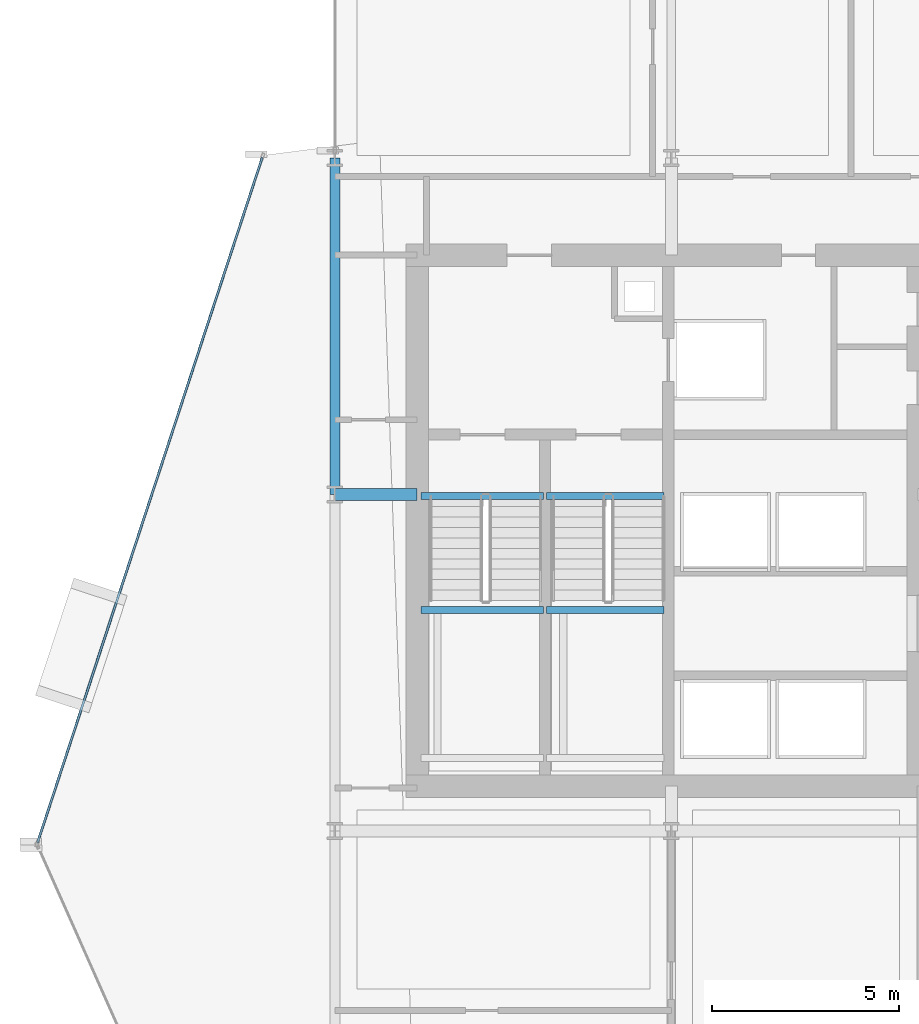
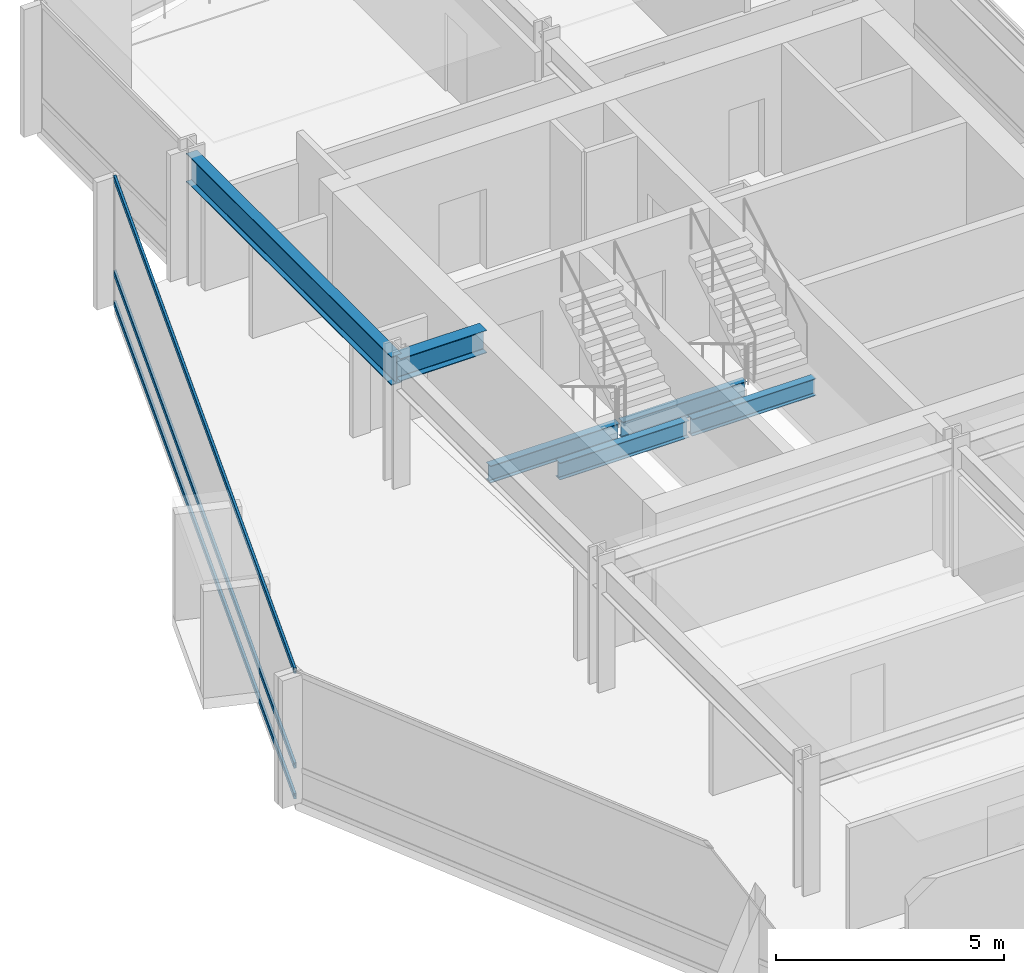
# One storey, part 15 of 29: 6 beams, 3 members, 1 element without a shape of its own.
"""IFC4 building model written with IfcOpenShell, lengths in metres."""

from ifc_helpers import new_model, si_unit, direction, frame, origin, origin_2d, place, context, subcontext, project, spatial, hollow_rectangle, i_section, extrude, material, layer, layer_set, material_profile, profile_set, type_object, element, aggregate, save


model = new_model("IFC4")

# Units and contexts
model_context = context("Model", 3, precision=1e-05, world=origin(), true_north=direction((0.0, 1.0)))
body_context = subcontext(model_context, "Body", "Model", "MODEL_VIEW")
ifc_project = project(units=[si_unit("LENGTHUNIT", "METRE"), si_unit("AREAUNIT", "SQUARE_METRE"), si_unit("VOLUMEUNIT", "CUBIC_METRE"), si_unit("PLANEANGLEUNIT", "RADIAN"), si_unit("MASSUNIT", "GRAM", prefix="KILO")], contexts=[model_context])

# Site, building, storey
site_placement = place(None, origin())
site = spatial("IfcSite", under=ifc_project, at=site_placement, CompositionType="ELEMENT")
building_placement = place(site_placement, origin())
building = spatial("IfcBuilding", under=site, at=building_placement, Name="Solvaryn Broadcast Tower", CompositionType="ELEMENT")
storey_placement = place(building_placement, frame((0.0, 0.0, 113.699951171875)))
storey = spatial("IfcBuildingStorey", under=building, at=storey_placement, Name="L27", CompositionType="ELEMENT", Elevation=113.699951171875)

# Beams
ifc_material_1 = material(Name="Steel ASTM A992 Grade 50", Category="steel")
ifc_material_profile_1 = material_profile(ifc_material_1, i_section(OverallWidth=0.323974609375, OverallDepth=0.611083984375, WebThickness=0.0126953125, FlangeThickness=0.01904296875, FilletRadius=0.014892578125, at=origin_2d()))
ifc_profile_set_1 = profile_set([ifc_material_profile_1], Name="Steel ASTM A992 Grade 50")
beam_type_1 = type_object("IfcBeamType", Name="BM-B1-W24X104", PredefinedType="BEAM", material=ifc_profile_set_1)
beam_1_placement = place(storey_placement, frame((9.0, 36.0, 3.114501953125), z_axis=(1.0, 0.0, 0.0), x_axis=(0.0, 1.0, 0.0)))
element("IfcBeam", 1, at=beam_1_placement, inside=storey, type_object=beam_type_1, Name="L27 Core Tie Beam CTW1", PredefinedType="BEAM", context=body_context, shape_type="SweptSolid", body=[
    extrude(i_section(OverallWidth=0.323974609375, OverallDepth=0.611083984375, WebThickness=0.0126953125, FlangeThickness=0.01904296875, FilletRadius=0.014892578125, at=origin_2d()), origin(), (0.0, 0.0, 1.0), 2.199951171875),
])
ifc_material_2 = material(Name="Steel ASTM A992 Grade 50", Category="steel")
ifc_material_profile_2 = material_profile(ifc_material_2, i_section(OverallWidth=0.18994140625, OverallDepth=0.45703125, WebThickness=0.009033203125, FlangeThickness=0.014404296875, FilletRadius=0.011962890625, at=origin_2d()))
ifc_profile_set_2 = profile_set([ifc_material_profile_2], Name="Steel ASTM A992 Grade 50")
beam_type_2 = type_object("IfcBeamType", Name="BM-B4-W18X50", PredefinedType="BEAM", material=ifc_profile_set_2)
for number, where, z_axis, x_axis, name in (
    (2, (11.300048828125, 35.9599609375, -0.508544921875), (1.0, 0.0, 0.0), (0.0, 1.0, 0.0), "L27 ST1 Stair Well Trimmer Beam"),
    (3, (11.300048828125, 32.909912109375, 1.421630859375), (1.0, 0.0, 0.0), (0.0, 1.0, 0.0), "L27 ST1 Landing Support Beam 1B"),
):
    element("IfcBeam", number, at=place(storey_placement, frame(where, z_axis=z_axis, x_axis=x_axis)), inside=storey, type_object=beam_type_2, Name=name, PredefinedType="BEAM", context=body_context, shape_type="SweptSolid", body=[
        extrude(i_section(OverallWidth=0.18994140625, OverallDepth=0.45703125, WebThickness=0.009033203125, FlangeThickness=0.014404296875, FilletRadius=0.011962890625, at=origin_2d()), origin(), (0.0, 0.0, 1.0), 3.280029296875),
    ])
for number, where, z_axis, x_axis, name in (
    (4, (14.659912109375, 35.9599609375, -0.508544921875), (1.0, 0.0, 0.0), (0.0, 1.0, 0.0), "L27 ST2 Stair Well Trimmer Beam"),
    (5, (14.659912109375, 32.909912109375, 1.421630859375), (1.0, 0.0, 0.0), (0.0, 1.0, 0.0), "L27 ST2 Landing Support Beam 1B"),
):
    element("IfcBeam", number, at=place(storey_placement, frame(where, z_axis=z_axis, x_axis=x_axis)), inside=storey, type_object=beam_type_2, Name=name, PredefinedType="BEAM", context=body_context, shape_type="SweptSolid", body=[
        extrude(i_section(OverallWidth=0.18994140625, OverallDepth=0.45703125, WebThickness=0.009033203125, FlangeThickness=0.014404296875, FilletRadius=0.011962890625, at=origin_2d()), origin(), (0.0, 0.0, 1.0), 3.14013671875),
    ])
ifc_material_3 = material(Name="Steel ASTM A992 Grade 50", Category="steel")
ifc_material_profile_3 = material_profile(ifc_material_3, i_section(OverallWidth=0.26708984375, OverallDepth=0.76611328125, WebThickness=0.014892578125, FlangeThickness=0.023681640625, FilletRadius=0.01806640625, at=origin_2d()))
ifc_profile_set_3 = profile_set([ifc_material_profile_3], Name="Steel ASTM A992 Grade 50")
beam_type_3 = type_object("IfcBeamType", Name="BM-SP2-W30X124", PredefinedType="USERDEFINED", material=ifc_profile_set_3)
beam_2_placement = place(storey_placement, frame((9.0, 36.0, 3.037109375), z_axis=(0.0, 1.0, 0.0), x_axis=(-1.0, 0.0, 0.0)))
element("IfcBeam", 6, at=beam_2_placement, inside=storey, type_object=beam_type_3, Name="L27 Spandrel Beam Y (36-45 @ X=9)", ObjectType="SPANDREL", PredefinedType="USERDEFINED", context=body_context, shape_type="SweptSolid", body=[
    extrude(i_section(OverallWidth=0.26708984375, OverallDepth=0.76611328125, WebThickness=0.014892578125, FlangeThickness=0.023681640625, FilletRadius=0.01806640625, at=origin_2d()), origin(), (0.0, 0.0, 1.0), 9.0),
])

# Curtain wall, members
ifc_material_4 = material(Name="Aluminium and Terracotta Unitised Curtain Wall", Category="masonry")
ifc_layer = layer(ifc_material_4, 0.199951171875)
ifc_layer_set = layer_set([ifc_layer], Name="CW-SYS2-LOWMID")
curtain_wall_type = type_object("IfcCurtainWallType", Name="CW-SYS2-LOWMID", PredefinedType="NOTDEFINED", material=ifc_layer_set)
curtain_wall_placement = place(storey_placement, origin())
curtain_wall = element("IfcCurtainWall", 7, at=curtain_wall_placement, inside=storey, type_object=curtain_wall_type, Name="L27 Curtain Wall DR1", PredefinedType="NOTDEFINED")
ifc_material_5 = material(Name="Anodised Aluminium 6063-T6", Category="aluminium")
ifc_material_profile_4 = material_profile(ifc_material_5, hollow_rectangle(XDim=0.06494140625, YDim=0.14990234375, WallThickness=0.00390625, InnerFilletRadius=0.00390625, OuterFilletRadius=0.008056640625, at=origin_2d()))
ifc_profile_set_4 = profile_set([ifc_material_profile_4], Name="Anodised Aluminium 6063-T6")
member_type = type_object("IfcMemberType", Name="CW-TRN-150", PredefinedType="USERDEFINED", material=ifc_profile_set_4)
member_1_placement = place(storey_placement, frame((7.060302734375, 45.010009765625, 0.030029296875), z_axis=(-0.31164571445, -0.950198373323, 0.0), x_axis=(0.950198373323, -0.31164571445, 0.0)))
member_1 = element("IfcMember", 8, at=member_1_placement, type_object=member_type, Name="CWS2 transom 1.1", ObjectType="TRANSOM", PredefinedType="USERDEFINED", context=body_context, shape_type="SweptSolid", body=[
    extrude(hollow_rectangle(XDim=0.06494140625, YDim=0.14990234375, WallThickness=0.00390625, InnerFilletRadius=0.00390625, OuterFilletRadius=0.008056640625, at=origin_2d()), origin(), (0.0, 0.0, 1.0), 19.27685546875),
])
member_2_placement = place(storey_placement, frame((7.060302734375, 45.010009765625, 0.85009765625), z_axis=(-0.31164571445, -0.950198373323, 0.0), x_axis=(0.950198373323, -0.31164571445, 0.0)))
member_2 = element("IfcMember", 9, at=member_2_placement, type_object=member_type, Name="CWS2 transom 1.2", ObjectType="TRANSOM", PredefinedType="USERDEFINED", context=body_context, shape_type="SweptSolid", body=[
    extrude(hollow_rectangle(XDim=0.06494140625, YDim=0.14990234375, WallThickness=0.00390625, InnerFilletRadius=0.00390625, OuterFilletRadius=0.008056640625, at=origin_2d()), origin(), (0.0, 0.0, 1.0), 19.27685546875),
])
member_3_placement = place(storey_placement, frame((7.060302734375, 45.010009765625, 3.39013671875), z_axis=(-0.31164571445, -0.950198373323, 0.0), x_axis=(0.950198373323, -0.31164571445, 0.0)))
member_3 = element("IfcMember", 10, at=member_3_placement, type_object=member_type, Name="CWS2 transom 1.3", ObjectType="TRANSOM", PredefinedType="USERDEFINED", context=body_context, shape_type="SweptSolid", body=[
    extrude(hollow_rectangle(XDim=0.06494140625, YDim=0.14990234375, WallThickness=0.00390625, InnerFilletRadius=0.00390625, OuterFilletRadius=0.008056640625, at=origin_2d()), origin(), (0.0, 0.0, 1.0), 19.27685546875),
])
aggregate(curtain_wall, [member_1, member_2, member_3])

save(model, "model.ifc")
